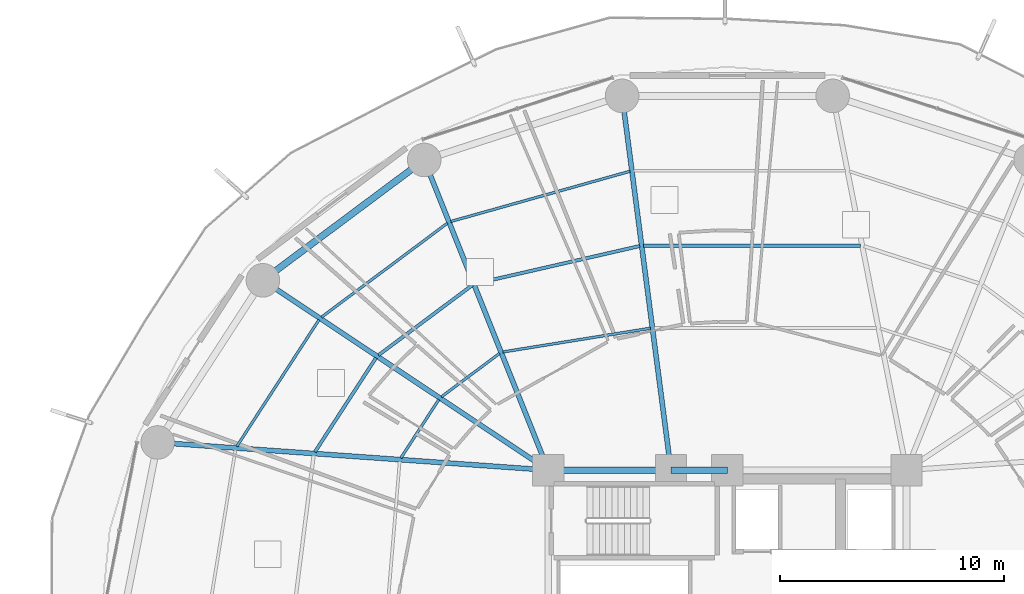
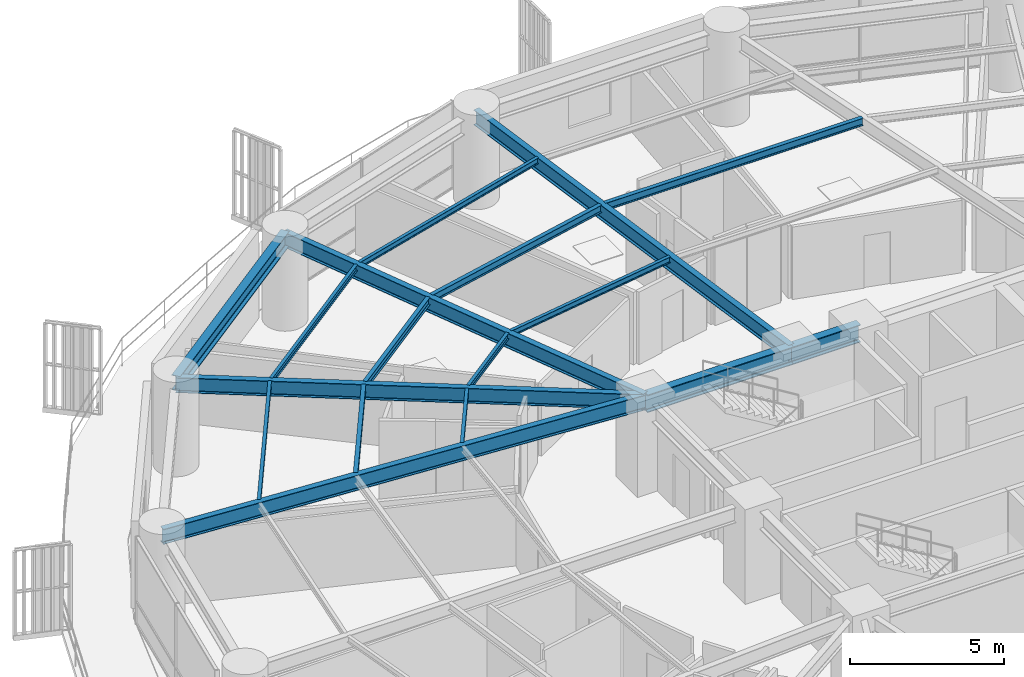
# One storey, part 16 of 33: 17 beams.
"""IFC4 building model written with IfcOpenShell, lengths in metres."""

import ifcopenshell
import ifcopenshell.guid

model = None  # the IFC model being written
_history = None  # IfcOwnerHistory: only IFC2X3 demands one
_inside = {}  # id of a spatial element -> (the spatial element, [elements in it])
_under = {}  # id of a project, library or spatial element -> (it, [spatial elements below it])
_declared = {}  # id of a project -> (the project, [libraries it declares])
_typed = {}  # id of a type object -> (the type object, [elements of that type])
_made_of = {}  # id of a material, layer set ... -> (it, [elements and type objects made of it])


def new_model(schema):
    """Start an empty IFC model of exactly this schema.

    Asked for "IFC4X3", IfcOpenShell would pick the latest addendum, in which some entities
    have other attributes; the version numbers below select the first issue.
    IFC2X3 requires an IfcOwnerHistory on every rooted entity: one is made here for all.
    """
    global model, _history
    if schema == "IFC4X3":
        model = ifcopenshell.file(schema_version=(4, 3, 0, 0))
    else:
        model = ifcopenshell.file(schema=schema)
    _inside.clear()
    _under.clear()
    _declared.clear()
    _typed.clear()
    _made_of.clear()
    _history = None
    if model.schema == "IFC2X3":
        org = make("IfcOrganization", Name="unknown")
        user = make(
            "IfcPersonAndOrganization",
            ThePerson=make("IfcPerson", FamilyName="unknown"),
            TheOrganization=org,
        )
        app = make(
            "IfcApplication",
            ApplicationDeveloper=org,
            Version="unknown",
            ApplicationFullName="unknown",
            ApplicationIdentifier="unknown",
        )
        _history = make(
            "IfcOwnerHistory",
            OwningUser=user,
            OwningApplication=app,
            ChangeAction="ADDED",
            CreationDate=0,
        )
    return model


def make(cls, **values):
    """One entity of the class cls with the attributes given. An attribute that is None is left unset."""
    return model.create_entity(
        cls, **{name: value for name, value in values.items() if value is not None}
    )


def rooted(cls, **values):
    """An entity with a GlobalId (a new one), such as an element, a storey or a relation."""
    return make(cls, GlobalId=ifcopenshell.guid.new(), OwnerHistory=_history, **values)


def si_unit(unit_type, name, prefix=None):
    """IfcSIUnit, for example si_unit("LENGTHUNIT", "METRE", prefix="MILLI")."""
    return make("IfcSIUnit", UnitType=unit_type, Prefix=prefix, Name=name)


def assignment(units):
    """IfcUnitAssignment: the units of a project."""
    return None if units is None else make("IfcUnitAssignment", Units=units)


def point(xyz):
    """IfcCartesianPoint."""
    return None if xyz is None else make("IfcCartesianPoint", Coordinates=xyz)


def direction(xyz):
    """IfcDirection."""
    return None if xyz is None else make("IfcDirection", DirectionRatios=xyz)


def frame(location, z_axis=None, x_axis=None):
    """IfcAxis2Placement3D, a coordinate frame: its origin and axes. An axis left out is left unset."""
    return make(
        "IfcAxis2Placement3D",
        Location=point(location),
        Axis=direction(z_axis),
        RefDirection=direction(x_axis),
    )


def frame_2d(location, x_axis=None):
    """IfcAxis2Placement2D, a coordinate frame in the plane: its origin and x axis."""
    return make(
        "IfcAxis2Placement2D", Location=point(location), RefDirection=direction(x_axis)
    )


def origin():
    """The frame at (0, 0, 0) with its axes left unset."""
    return frame((0.0, 0.0, 0.0))


def origin_2d():
    """The frame at (0, 0) in the plane with its x axis left unset."""
    return frame_2d((0.0, 0.0))


def place(relative_to, where):
    """IfcLocalPlacement: puts the frame where relative to a parent placement (None: the world)."""
    return make(
        "IfcLocalPlacement", PlacementRelTo=relative_to, RelativePlacement=where
    )


def context(
    kind, dimensions, precision=None, world=None, true_north=None, identifier=None
):
    """IfcGeometricRepresentationContext, for example the 3D "Model" context."""
    return make(
        "IfcGeometricRepresentationContext",
        ContextIdentifier=identifier,
        ContextType=kind,
        CoordinateSpaceDimension=dimensions,
        Precision=precision,
        WorldCoordinateSystem=world,
        TrueNorth=true_north,
    )


def subcontext(parent, identifier, kind, view, scale=None):
    """IfcGeometricRepresentationSubContext, for example "Body" below "Model"."""
    return make(
        "IfcGeometricRepresentationSubContext",
        ContextIdentifier=identifier,
        ContextType=kind,
        ParentContext=parent,
        TargetScale=scale,
        TargetView=view,
    )


def project(units=None, contexts=None):
    """IfcProject with its units and contexts."""
    return rooted(
        "IfcProject",
        Name="project",
        RepresentationContexts=contexts,
        UnitsInContext=assignment(units),
    )


def spatial(cls, under=None, at=None, **own):
    """A site, building, storey or space (cls), placed at a placement, below another one or the project."""
    s = rooted(cls, ObjectPlacement=at, **own)
    if under is not None:
        _under.setdefault(under.id(), (under, []))[1].append(s)
    return s


def profile(cls, at=None, kind="AREA", **sizes):
    """A parametric profile (cls). Its sizes go by their IFC names, for example OverallWidth=200.0."""
    return make(cls, ProfileType=kind, Position=at, **sizes)


def i_section(**sizes):
    """IfcIShapeProfileDef."""
    return profile("IfcIShapeProfileDef", **sizes)


def extrude(swept, where, along, depth):
    """IfcExtrudedAreaSolid: the profile swept, set in the frame where, extruded along a direction by depth."""
    return make(
        "IfcExtrudedAreaSolid",
        SweptArea=swept,
        Position=where,
        ExtrudedDirection=direction(along),
        Depth=depth,
    )


def shape(context_of_items, identifier, shape_type, items):
    """IfcShapeRepresentation: the items that make up one representation, for example the "Body"."""
    return make(
        "IfcShapeRepresentation",
        ContextOfItems=context_of_items,
        RepresentationIdentifier=identifier,
        RepresentationType=shape_type,
        Items=items,
    )


def material(Name=None, Category=None):
    """IfcMaterial."""
    return make("IfcMaterial", Name=Name, Category=Category)


def material_profile(
    of_material, cross_section, Name=None, Category=None, Priority=None
):
    """IfcMaterialProfile: a cross section and its material."""
    return make(
        "IfcMaterialProfile",
        Name=Name,
        Material=of_material,
        Profile=cross_section,
        Priority=Priority,
        Category=Category,
    )


def profile_set(profiles, Name=None, composite=None):
    """IfcMaterialProfileSet."""
    return make(
        "IfcMaterialProfileSet",
        Name=Name,
        MaterialProfiles=profiles,
        CompositeProfile=composite,
    )


def made_of(thing, what):
    """Note that an element or type object is made of a material, layer set ...; save() writes the relation."""
    if what is not None:
        _made_of.setdefault(what.id(), (what, []))[1].append(thing)
    return thing


def type_object(cls, material=None, **own):
    """A type object (cls), such as IfcWallType, which elements share."""
    return made_of(rooted(cls, **own), material)


def element(
    cls,
    number,
    at=None,
    inside=None,
    cuts=None,
    type_object=None,
    material=None,
    context=None,
    identifier="Body",
    shape_type=None,
    held_by="IfcProductDefinitionShape",
    body=None,
    shapes=None,
    **own,
):
    """One element of the class cls, such as IfcWall. Its Tag is "e" and its number.

    at: its placement. inside: the storey or other place that contains it. cuts: it is an
    opening in that element (IfcRelVoidsElement). A single representation is given by context,
    identifier, shape_type and body (its items); several are given by shapes. held_by: the class
    of the entity that holds the representations. save() writes the other relations.
    """
    e = rooted(cls, Tag="e%d" % number, ObjectPlacement=at, **own)
    if body is not None:
        shapes = [shape(context, identifier, shape_type, body)]
    if shapes is not None:
        e.Representation = make(held_by, Representations=shapes)
    if inside is not None:
        _inside.setdefault(inside.id(), (inside, []))[1].append(e)
    if cuts is not None:
        rooted(
            "IfcRelVoidsElement", RelatingBuildingElement=cuts, RelatedOpeningElement=e
        )
    if type_object is not None:
        _typed.setdefault(type_object.id(), (type_object, []))[1].append(e)
    return made_of(e, material)


def aggregate(whole, parts):
    """IfcRelAggregates: a whole, such as a stair, and the parts it consists of."""
    return rooted("IfcRelAggregates", RelatingObject=whole, RelatedObjects=parts)


def save(model, path):
    """Write the relations noted so far, then the file.

    IfcRelAggregates (storeys below a building ...), IfcRelContainedInSpatialStructure (elements
    in a storey), IfcRelDefinesByType, IfcRelAssociatesMaterial and IfcRelDeclares: one each for
    every whole, place, type object, material and project.
    """
    for whole, parts in _under.values():
        aggregate(whole, parts)
    for where, things in _inside.values():
        rooted(
            "IfcRelContainedInSpatialStructure",
            RelatedElements=things,
            RelatingStructure=where,
        )
    for kind, things in _typed.values():
        rooted("IfcRelDefinesByType", RelatedObjects=things, RelatingType=kind)
    for what, things in _made_of.values():
        rooted("IfcRelAssociatesMaterial", RelatedObjects=things, RelatingMaterial=what)
    for by, libraries in _declared.values():
        rooted("IfcRelDeclares", RelatingContext=by, RelatedDefinitions=libraries)
    model.write(path)


model = new_model("IFC4")

# Units and contexts
model_context = context("Model", 3, precision=1e-05, world=origin(), true_north=direction((0.0, 1.0)))
body_context = subcontext(model_context, "Body", "Model", "MODEL_VIEW")
ifc_project = project(units=[si_unit("LENGTHUNIT", "METRE"), si_unit("AREAUNIT", "SQUARE_METRE"), si_unit("VOLUMEUNIT", "CUBIC_METRE"), si_unit("PLANEANGLEUNIT", "RADIAN"), si_unit("MASSUNIT", "GRAM", prefix="KILO")], contexts=[model_context])

# Site, building, storey
site_placement = place(None, origin())
site = spatial("IfcSite", under=ifc_project, at=site_placement, CompositionType="ELEMENT")
building_placement = place(site_placement, origin())
building = spatial("IfcBuilding", under=site, at=building_placement, Name="Kelanora Arch Commons", CompositionType="ELEMENT")
storey_placement = place(building_placement, frame((0.0, 0.0, 41.25)))
storey = spatial("IfcBuildingStorey", under=building, at=storey_placement, Name="L10", CompositionType="ELEMENT", Elevation=41.25)

# Beams
ifc_material = material(Name="Steel S355", Category="steel")
ifc_material_profile_1 = material_profile(ifc_material, i_section(OverallWidth=0.300048828125, OverallDepth=0.699951171875, WebThickness=0.01708984375, FlangeThickness=0.031982421875, FilletRadius=0.027099609375, at=origin_2d()), Name="HEB700")
ifc_profile_set_1 = profile_set([ifc_material_profile_1], Name="Steel S355")
beam_type_1 = type_object("IfcBeamType", Name="BM-CORE-HDR", PredefinedType="BEAM", material=ifc_profile_set_1)
beam_1_placement = place(storey_placement, frame((74.0, 65.0, 3.139892578125), z_axis=(-1.0, 0.0, 0.0), x_axis=(0.0, -1.0, 0.0)))
element("IfcBeam", 1, at=beam_1_placement, inside=storey, type_object=beam_type_1, Name="Core Header Beam 06 L10", PredefinedType="BEAM", context=body_context, shape_type="SweptSolid", body=[
    extrude(i_section(OverallWidth=0.300048828125, OverallDepth=0.699951171875, WebThickness=0.01708984375, FlangeThickness=0.031982421875, FilletRadius=0.027099609375, at=origin_2d()), origin(), (0.0, 0.0, 1.0), 2.52001953125),
])
beam_2_placement = place(storey_placement, frame((71.47998046875, 65.0, 3.139892578125), z_axis=(-1.0, 0.0, 0.0), x_axis=(0.0, -1.0, 0.0)))
element("IfcBeam", 2, at=beam_2_placement, inside=storey, type_object=beam_type_1, Name="Core Header Beam 07 L10", PredefinedType="BEAM", context=body_context, shape_type="SweptSolid", body=[
    extrude(i_section(OverallWidth=0.300048828125, OverallDepth=0.699951171875, WebThickness=0.01708984375, FlangeThickness=0.031982421875, FilletRadius=0.027099609375, at=origin_2d()), origin(), (0.0, 0.0, 1.0), 5.47998046875),
])
ifc_material_profile_2 = material_profile(ifc_material, i_section(OverallWidth=0.14990234375, OverallDepth=0.300048828125, WebThickness=0.007080078125, FlangeThickness=0.0107421875, FilletRadius=0.014892578125, at=origin_2d()), Name="IPE300")
ifc_profile_set_2 = profile_set([ifc_material_profile_2], Name="Steel S355")
beam_type_2 = type_object("IfcBeamType", Name="BM-JST-01", PredefinedType="JOIST", material=ifc_profile_set_2)
beam_3_placement = place(storey_placement, frame((79.936279296875, 75.028564453125, 3.340087890625), z_axis=(-1.0, 0.0, 0.0), x_axis=(0.0, -1.0, 0.0)))
element("IfcBeam", 3, at=beam_3_placement, inside=storey, type_object=beam_type_2, Name="Secondary Chord Joist BJB-08 L10", PredefinedType="JOIST", context=body_context, shape_type="SweptSolid", body=[
    extrude(i_section(OverallWidth=0.14990234375, OverallDepth=0.300048828125, WebThickness=0.007080078125, FlangeThickness=0.0107421875, FilletRadius=0.014892578125, at=origin_2d()), origin(), (0.0, 0.0, 1.0), 9.6806640625),
])
beam_4_placement = place(storey_placement, frame((70.087646484375, 75.009521484375, 3.340087890625), z_axis=(-0.974770159254, -0.223210968877, 0.0), x_axis=(0.223210968877, -0.974770159254, 0.0)))
element("IfcBeam", 4, at=beam_4_placement, inside=storey, type_object=beam_type_2, Name="Secondary Chord Joist BJB-10 L10", PredefinedType="JOIST", context=body_context, shape_type="SweptSolid", body=[
    extrude(i_section(OverallWidth=0.14990234375, OverallDepth=0.300048828125, WebThickness=0.007080078125, FlangeThickness=0.0107421875, FilletRadius=0.014892578125, at=origin_2d()), origin(), (0.0, 0.0, 1.0), 7.5185546875),
])
beam_5_placement = place(storey_placement, frame((62.60791015625, 73.261474609375, 3.340087890625), z_axis=(-0.801478251559, -0.598023922831, 0.0), x_axis=(0.598023922831, -0.801478251559, 0.0)))
element("IfcBeam", 5, at=beam_5_placement, inside=storey, type_object=beam_type_2, Name="Secondary Chord Joist BJB-12 L10", PredefinedType="JOIST", context=body_context, shape_type="SweptSolid", body=[
    extrude(i_section(OverallWidth=0.14990234375, OverallDepth=0.300048828125, WebThickness=0.007080078125, FlangeThickness=0.0107421875, FilletRadius=0.014892578125, at=origin_2d()), origin(), (0.0, 0.0, 1.0), 5.223388671875),
])
beam_6_placement = place(storey_placement, frame((58.306884765625, 70.015625, 3.340087890625), z_axis=(-0.544551588245, -0.838727350061, 0.0), x_axis=(0.838727350061, -0.544551588245, 0.0)))
element("IfcBeam", 6, at=beam_6_placement, inside=storey, type_object=beam_type_2, Name="Secondary Chord Joist BJB-14 L10", PredefinedType="JOIST", context=body_context, shape_type="SweptSolid", body=[
    extrude(i_section(OverallWidth=0.14990234375, OverallDepth=0.300048828125, WebThickness=0.007080078125, FlangeThickness=0.0107421875, FilletRadius=0.014892578125, at=origin_2d()), origin(), (0.0, 0.0, 1.0), 5.010986328125),
])
ifc_material_profile_3 = material_profile(ifc_material, i_section(OverallWidth=0.1201171875, OverallDepth=0.239990234375, WebThickness=0.006103515625, FlangeThickness=0.009765625, FilletRadius=0.014892578125, at=origin_2d()), Name="IPE240")
ifc_profile_set_3 = profile_set([ifc_material_profile_3], Name="Steel S355")
beam_type_3 = type_object("IfcBeamType", Name="BM-JST-02", PredefinedType="JOIST", material=ifc_profile_set_3)
beam_7_placement = place(storey_placement, frame((70.56689453125, 71.337890625, 3.3701171875), z_axis=(-0.987306715654, -0.158825215959, 0.0), x_axis=(0.158825215959, -0.987306715654, 0.0)))
element("IfcBeam", 7, at=beam_7_placement, inside=storey, type_object=beam_type_3, Name="Secondary Chord Joist BJA-10 L10", PredefinedType="JOIST", context=body_context, shape_type="SweptSolid", body=[
    extrude(i_section(OverallWidth=0.1201171875, OverallDepth=0.239990234375, WebThickness=0.006103515625, FlangeThickness=0.009765625, FilletRadius=0.014892578125, at=origin_2d()), origin(), (0.0, 0.0, 1.0), 6.6728515625),
])
beam_8_placement = place(storey_placement, frame((69.652099609375, 78.348388671875, 3.3701171875), z_axis=(-0.962914880978, -0.269805359456, 0.0), x_axis=(0.269805359456, -0.962914880978, 0.0)))
element("IfcBeam", 8, at=beam_8_placement, inside=storey, type_object=beam_type_3, Name="Secondary Chord Joist BJC-10 L10", PredefinedType="JOIST", context=body_context, shape_type="SweptSolid", body=[
    extrude(i_section(OverallWidth=0.1201171875, OverallDepth=0.239990234375, WebThickness=0.006103515625, FlangeThickness=0.009765625, FilletRadius=0.014892578125, at=origin_2d()), origin(), (0.0, 0.0, 1.0), 8.310302734375),
])
beam_9_placement = place(storey_placement, frame((63.82666015625, 70.213623046875, 3.3701171875), z_axis=(-0.801513822608, -0.59797624716, 0.0), x_axis=(0.59797624716, -0.801513822608, 0.0)))
element("IfcBeam", 9, at=beam_9_placement, inside=storey, type_object=beam_type_3, Name="Secondary Chord Joist BJA-12 L10", PredefinedType="JOIST", context=body_context, shape_type="SweptSolid", body=[
    extrude(i_section(OverallWidth=0.1201171875, OverallDepth=0.239990234375, WebThickness=0.006103515625, FlangeThickness=0.009765625, FilletRadius=0.014892578125, at=origin_2d()), origin(), (0.0, 0.0, 1.0), 3.245849609375),
])
beam_10_placement = place(storey_placement, frame((61.5, 76.0322265625, 3.3701171875), z_axis=(-0.80149131963, -0.598006408459, 0.0), x_axis=(0.598006408459, -0.80149131963, 0.0)))
element("IfcBeam", 10, at=beam_10_placement, inside=storey, type_object=beam_type_3, Name="Secondary Chord Joist BJC-12 L10", PredefinedType="JOIST", context=body_context, shape_type="SweptSolid", body=[
    extrude(i_section(OverallWidth=0.1201171875, OverallDepth=0.239990234375, WebThickness=0.006103515625, FlangeThickness=0.009765625, FilletRadius=0.014892578125, at=origin_2d()), origin(), (0.0, 0.0, 1.0), 7.021240234375),
])
beam_11_placement = place(storey_placement, frame((61.11083984375, 68.150390625, 3.3701171875), z_axis=(-0.544591105858, -0.838701691557, 0.0), x_axis=(0.838701691557, -0.544591105858, 0.0)))
element("IfcBeam", 11, at=beam_11_placement, inside=storey, type_object=beam_type_3, Name="Secondary Chord Joist BJA-14 L10", PredefinedType="JOIST", context=body_context, shape_type="SweptSolid", body=[
    extrude(i_section(OverallWidth=0.1201171875, OverallDepth=0.239990234375, WebThickness=0.006103515625, FlangeThickness=0.009765625, FilletRadius=0.014892578125, at=origin_2d()), origin(), (0.0, 0.0, 1.0), 3.111328125),
])
beam_12_placement = place(storey_placement, frame((55.758056640625, 71.711181640625, 3.3701171875), z_axis=(-0.544550165372, -0.838728273873, 0.0), x_axis=(0.838728273873, -0.544550165372, 0.0)))
element("IfcBeam", 12, at=beam_12_placement, inside=storey, type_object=beam_type_3, Name="Secondary Chord Joist BJC-14 L10", PredefinedType="JOIST", context=body_context, shape_type="SweptSolid", body=[
    extrude(i_section(OverallWidth=0.1201171875, OverallDepth=0.239990234375, WebThickness=0.006103515625, FlangeThickness=0.009765625, FilletRadius=0.014892578125, at=origin_2d()), origin(), (0.0, 0.0, 1.0), 6.738037109375),
])
ifc_material_profile_4 = material_profile(ifc_material, i_section(OverallWidth=0.219970703125, OverallDepth=0.60009765625, WebThickness=0.011962890625, FlangeThickness=0.01904296875, FilletRadius=0.02392578125, at=origin_2d()), Name="IPE600")
ifc_profile_set_4 = profile_set([ifc_material_profile_4], Name="Steel S355")
beam_type_4 = type_object("IfcBeamType", Name="BM-RAD-Z1", PredefinedType="BEAM", material=ifc_profile_set_4)
beam_13_placement = place(storey_placement, frame((71.47998046875, 65.0, 3.18994140625), z_axis=(-0.129471691865, 0.991583118556, 0.0), x_axis=(-0.991583118556, -0.129471691865, 0.0)))
element("IfcBeam", 13, at=beam_13_placement, inside=storey, type_object=beam_type_4, Name="Radial Floor Girder BR-10 L10", PredefinedType="BEAM", context=body_context, shape_type="SweptSolid", body=[
    extrude(i_section(OverallWidth=0.219970703125, OverallDepth=0.60009765625, WebThickness=0.011962890625, FlangeThickness=0.01904296875, FilletRadius=0.02392578125, at=origin_2d()), origin(), (0.0, 0.0, 1.0), 16.85595703125),
])
beam_14_placement = place(storey_placement, frame((66.0, 65.0, 3.18994140625), z_axis=(-0.371300398117, 0.928512797089, 0.0), x_axis=(-0.928512797089, -0.371300398117, 0.0)))
element("IfcBeam", 14, at=beam_14_placement, inside=storey, type_object=beam_type_4, Name="Radial Floor Girder BR-12 L10", PredefinedType="BEAM", context=body_context, shape_type="SweptSolid", body=[
    extrude(i_section(OverallWidth=0.219970703125, OverallDepth=0.60009765625, WebThickness=0.011962890625, FlangeThickness=0.01904296875, FilletRadius=0.02392578125, at=origin_2d()), origin(), (0.0, 0.0, 1.0), 14.920654296875),
])
beam_15_placement = place(storey_placement, frame((66.0, 65.0, 3.18994140625), z_axis=(-0.832592187754, 0.553886494591, 0.0), x_axis=(-0.553886494591, -0.832592187754, 0.0)))
element("IfcBeam", 15, at=beam_15_placement, inside=storey, type_object=beam_type_4, Name="Radial Floor Girder BR-14 L10", PredefinedType="BEAM", context=body_context, shape_type="SweptSolid", body=[
    extrude(i_section(OverallWidth=0.219970703125, OverallDepth=0.60009765625, WebThickness=0.011962890625, FlangeThickness=0.01904296875, FilletRadius=0.02392578125, at=origin_2d()), origin(), (0.0, 0.0, 1.0), 15.306884765625),
])
beam_16_placement = place(storey_placement, frame((66.0, 65.0, 3.18994140625), z_axis=(-0.997500683472, 0.070656821848, 0.0), x_axis=(-0.070656821848, -0.997500683472, 0.0)))
element("IfcBeam", 16, at=beam_16_placement, inside=storey, type_object=beam_type_4, Name="Radial Floor Girder BR-16 L10", PredefinedType="BEAM", context=body_context, shape_type="SweptSolid", body=[
    extrude(i_section(OverallWidth=0.219970703125, OverallDepth=0.60009765625, WebThickness=0.011962890625, FlangeThickness=0.01904296875, FilletRadius=0.02392578125, at=origin_2d()), origin(), (0.0, 0.0, 1.0), 17.49072265625),
])
ifc_material_profile_5 = material_profile(ifc_material, i_section(OverallWidth=0.300048828125, OverallDepth=0.60009765625, WebThickness=0.015380859375, FlangeThickness=0.030029296875, FilletRadius=0.027099609375, at=origin_2d()), Name="HEB600")
ifc_profile_set_5 = profile_set([ifc_material_profile_5], Name="Steel S355")
beam_type_5 = type_object("IfcBeamType", Name="BM-SPN-Z1", PredefinedType="SPANDREL", material=ifc_profile_set_5)
beam_17_placement = place(storey_placement, frame((60.4599609375, 78.85400390625, 3.18994140625), z_axis=(-0.801467504127, -0.598038326388, 0.0), x_axis=(0.598038326388, -0.801467504127, 0.0)))
element("IfcBeam", 17, at=beam_17_placement, inside=storey, type_object=beam_type_5, Name="Perimeter Spandrel Beam BS-12 L10", PredefinedType="SPANDREL", context=body_context, shape_type="SweptSolid", body=[
    extrude(i_section(OverallWidth=0.300048828125, OverallDepth=0.60009765625, WebThickness=0.015380859375, FlangeThickness=0.030029296875, FilletRadius=0.027099609375, at=origin_2d()), origin(), (0.0, 0.0, 1.0), 8.989013671875),
])

save(model, "model.ifc")
